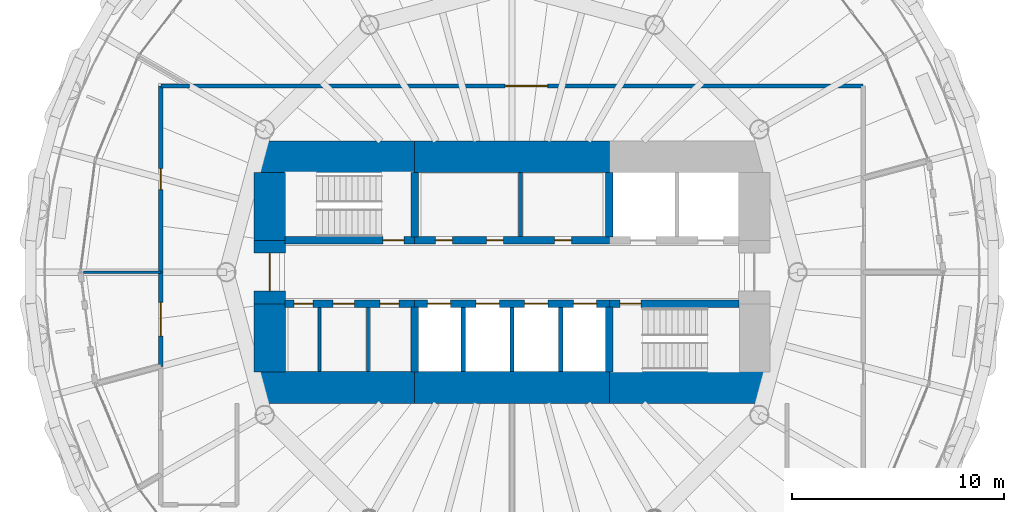
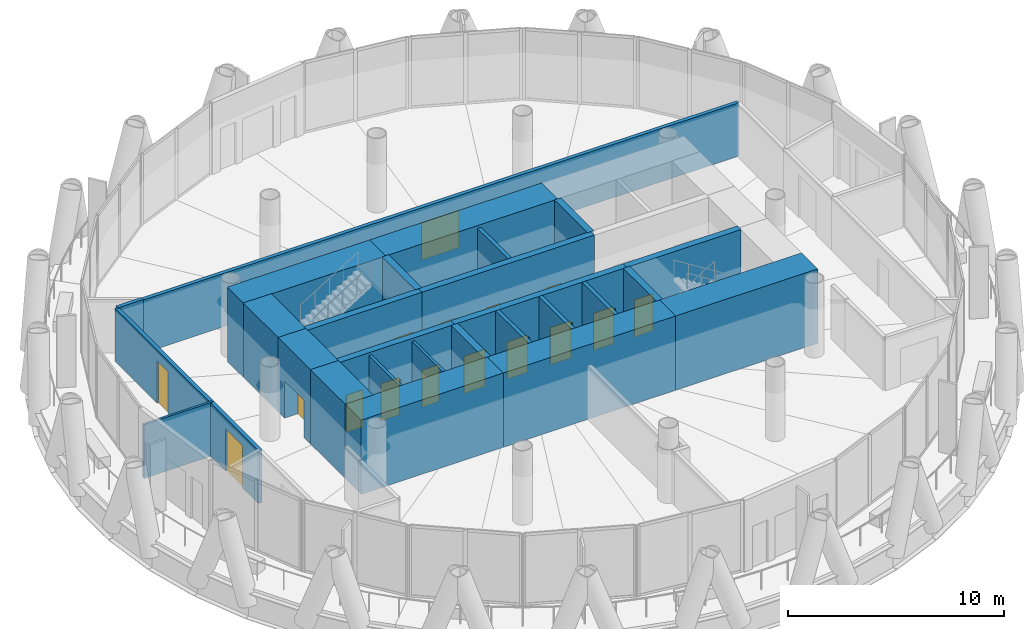
# One storey, part 10 of 14: 28 walls, 16 doors, 16 openings.
"""IFC4 building model written with IfcOpenShell, lengths in metres."""

from ifc_helpers import new_model, si_unit, direction, frame, frame_2d, origin, place, context, subcontext, project, spatial, rectangle, extrude, material, layer, layer_set, type_object, element, fill, save


model = new_model("IFC4")

# Units and contexts
model_context = context("Model", 3, precision=1e-05, world=origin(), true_north=direction((0.0, 1.0)))
body_context = subcontext(model_context, "Body", "Model", "MODEL_VIEW")
ifc_project = project(units=[si_unit("LENGTHUNIT", "METRE"), si_unit("AREAUNIT", "SQUARE_METRE"), si_unit("VOLUMEUNIT", "CUBIC_METRE"), si_unit("PLANEANGLEUNIT", "RADIAN"), si_unit("MASSUNIT", "GRAM", prefix="KILO")], contexts=[model_context])

# Site, building, storey
site_placement = place(None, origin())
site = spatial("IfcSite", under=ifc_project, at=site_placement, CompositionType="ELEMENT")
building_placement = place(site_placement, origin())
building = spatial("IfcBuilding", under=site, at=building_placement, Name="Qaws Media Tower", CompositionType="ELEMENT")
storey_placement = place(building_placement, frame((0.0, 0.0, 215.0)))
storey = spatial("IfcBuildingStorey", under=building, at=storey_placement, Name="L49", CompositionType="ELEMENT", Elevation=215.0)

# Wall, opening, door
ifc_material_1 = material(Name="Concrete C60/75", Category="concrete")
ifc_layer_1 = layer(ifc_material_1, 0.35009765625)
ifc_layer_set_1 = layer_set([ifc_layer_1], Name="Core inner wall 350")
wall_type_1 = type_object("IfcWallType", Name="Core inner wall 350", PredefinedType="SHEAR", material=ifc_layer_set_1)
wall_1_placement = place(storey_placement, frame((49.280029296875, 51.5, 0.0), z_axis=(0.0, 0.0, 1.0), x_axis=(1.0, 0.0, 0.0)))
wall_1 = element("IfcWall", 1, at=wall_1_placement, inside=storey, type_object=wall_type_1, Name="W301 SW5 core wall SPNW L49", PredefinedType="SHEAR", context=body_context, shape_type="SweptSolid", body=[
    extrude(rectangle(XDim=6.119873046875, YDim=0.35009765625, at=frame_2d((3.06005859375, 0.0))), origin(), (0.0, 0.0, 1.0), 4.199951171875),
])
opening_1_placement = place(wall_1_placement, frame((4.6201171875, 0.0, 0.0)))
opening_1 = element("IfcOpeningElement", 2, at=opening_1_placement, cuts=wall_1, Name="Opening D1", PredefinedType="OPENING", context=body_context, shape_type="SweptSolid", body=[
    extrude(rectangle(XDim=1.0, YDim=2.10009765625, at=frame_2d((0.5, 1.050048828125))), frame((0.0, 0.18505859375, 0.0), z_axis=(0.0, -1.0, 0.0), x_axis=(1.0, 0.0, 0.0)), (0.0, 0.0, 1.0), 0.3701171875),
])
ifc_material_2 = material(Name="Steel, fire rated", Category="steel")
door_type_1 = type_object("IfcDoorType", Name="Stair door 1000 FD120", OperationType="SINGLE_SWING_LEFT", PredefinedType="DOOR", material=ifc_material_2)
door_1_placement = place(opening_1_placement, origin())
door_1 = element("IfcDoor", 3, at=door_1_placement, inside=storey, type_object=door_type_1, Name="D1 stair S1 door L49 in wall W301", OperationType="SINGLE_SWING_LEFT", OverallHeight=2.10009765625, OverallWidth=1.0, PredefinedType="DOOR", context=body_context, shape_type="SweptSolid", body=[
    extrude(rectangle(XDim=1.0, YDim=2.10009765625, at=frame_2d((0.5, 1.050048828125))), frame((0.0, 0.02490234375, 0.0), z_axis=(0.0, -1.0, 0.0), x_axis=(1.0, 0.0, 0.0)), (0.0, 0.0, 1.0), 0.050048828125),
])
fill(opening_1, door_1)

# Wall, openings, doors
wall_2_placement = place(storey_placement, frame((55.39990234375, 51.5, 0.0), z_axis=(0.0, 0.0, 1.0), x_axis=(1.0, 0.0, 0.0)))
wall_2 = element("IfcWall", 4, at=wall_2_placement, inside=storey, type_object=wall_type_1, Name="W304 SW5 core wall SPN L49", PredefinedType="SHEAR", context=body_context, shape_type="SweptSolid", body=[
    extrude(rectangle(XDim=9.2001953125, YDim=0.35009765625, at=frame_2d((4.60009765625, 0.0))), origin(), (0.0, 0.0, 1.0), 4.199951171875),
])
opening_2_placement = place(wall_2_placement, frame((0.981689453125, 0.0, 0.0)))
opening_2 = element("IfcOpeningElement", 5, at=opening_2_placement, cuts=wall_2, Name="Opening D23", PredefinedType="OPENING", context=body_context, shape_type="SweptSolid", body=[
    extrude(rectangle(XDim=0.800048828125, YDim=2.10009765625, at=frame_2d((0.39990234375, 1.050048828125))), frame((0.0, 0.18505859375, 0.0), z_axis=(0.0, -1.0, 0.0), x_axis=(1.0, 0.0, 0.0)), (0.0, 0.0, 1.0), 0.3701171875),
])
opening_3_placement = place(wall_2_placement, frame((3.3955078125, 0.0, 0.0)))
opening_3 = element("IfcOpeningElement", 6, at=opening_3_placement, cuts=wall_2, Name="Opening D23", PredefinedType="OPENING", context=body_context, shape_type="SweptSolid", body=[
    extrude(rectangle(XDim=0.800048828125, YDim=2.10009765625, at=frame_2d((0.39990234375, 1.050048828125))), frame((0.0, 0.18505859375, 0.0), z_axis=(0.0, -1.0, 0.0), x_axis=(1.0, 0.0, 0.0)), (0.0, 0.0, 1.0), 0.3701171875),
])
opening_4_placement = place(wall_2_placement, frame((6.613525390625, 0.0, 0.0)))
opening_4 = element("IfcOpeningElement", 7, at=opening_4_placement, cuts=wall_2, Name="Opening D23", PredefinedType="OPENING", context=body_context, shape_type="SweptSolid", body=[
    extrude(rectangle(XDim=0.800048828125, YDim=2.10009765625, at=frame_2d((0.39990234375, 1.050048828125))), frame((0.0, 0.18505859375, 0.0), z_axis=(0.0, -1.0, 0.0), x_axis=(1.0, 0.0, 0.0)), (0.0, 0.0, 1.0), 0.3701171875),
])
ifc_material_3 = material(Name="Steel, fire rated", Category="steel")
door_type_2 = type_object("IfcDoorType", Name="Core room door 800x2100", OperationType="SINGLE_SWING_LEFT", PredefinedType="DOOR", material=ifc_material_3)
door_2_placement = place(opening_2_placement, origin())
door_2 = element("IfcDoor", 8, at=door_2_placement, inside=storey, type_object=door_type_2, Name="D23 Ladies toilets door L49 1 in wall W304", OperationType="SINGLE_SWING_LEFT", OverallHeight=2.10009765625, OverallWidth=0.800048828125, PredefinedType="DOOR", context=body_context, shape_type="SweptSolid", body=[
    extrude(rectangle(XDim=0.800048828125, YDim=2.10009765625, at=frame_2d((0.39990234375, 1.050048828125))), frame((0.0, 0.02490234375, 0.0), z_axis=(0.0, -1.0, 0.0), x_axis=(1.0, 0.0, 0.0)), (0.0, 0.0, 1.0), 0.050048828125),
])
fill(opening_2, door_2)
door_3_placement = place(opening_3_placement, origin())
door_3 = element("IfcDoor", 9, at=door_3_placement, inside=storey, type_object=door_type_2, Name="D23 Ladies toilets door L49 2 in wall W304", OperationType="SINGLE_SWING_LEFT", OverallHeight=2.10009765625, OverallWidth=0.800048828125, PredefinedType="DOOR", context=body_context, shape_type="SweptSolid", body=[
    extrude(rectangle(XDim=0.800048828125, YDim=2.10009765625, at=frame_2d((0.39990234375, 1.050048828125))), frame((0.0, 0.02490234375, 0.0), z_axis=(0.0, -1.0, 0.0), x_axis=(1.0, 0.0, 0.0)), (0.0, 0.0, 1.0), 0.050048828125),
])
fill(opening_3, door_3)
door_4_placement = place(opening_4_placement, origin())
door_4 = element("IfcDoor", 10, at=door_4_placement, inside=storey, type_object=door_type_2, Name="D23 Gents toilets door L49 in wall W304", OperationType="SINGLE_SWING_LEFT", OverallHeight=2.10009765625, OverallWidth=0.800048828125, PredefinedType="DOOR", context=body_context, shape_type="SweptSolid", body=[
    extrude(rectangle(XDim=0.800048828125, YDim=2.10009765625, at=frame_2d((0.39990234375, 1.050048828125))), frame((0.0, 0.02490234375, 0.0), z_axis=(0.0, -1.0, 0.0), x_axis=(1.0, 0.0, 0.0)), (0.0, 0.0, 1.0), 0.050048828125),
])
fill(opening_4, door_4)

wall_3_placement = place(storey_placement, frame((49.280029296875, 48.5, 0.0), z_axis=(0.0, 0.0, 1.0), x_axis=(1.0, 0.0, 0.0)))
wall_3 = element("IfcWall", 11, at=wall_3_placement, inside=storey, type_object=wall_type_1, Name="W300 SW5 core wall SPSW L49", PredefinedType="SHEAR", context=body_context, shape_type="SweptSolid", body=[
    extrude(rectangle(XDim=6.119873046875, YDim=0.35009765625, at=frame_2d((3.06005859375, 0.0))), origin(), (0.0, 0.0, 1.0), 4.199951171875),
])
opening_5_placement = place(wall_3_placement, frame((0.419921875, 0.0, 0.0)))
opening_5 = element("IfcOpeningElement", 12, at=opening_5_placement, cuts=wall_3, Name="Opening D25", PredefinedType="OPENING", context=body_context, shape_type="SweptSolid", body=[
    extrude(rectangle(XDim=0.89990234375, YDim=2.10009765625, at=frame_2d((0.449951171875, 1.050048828125))), frame((0.0, 0.18505859375, 0.0), z_axis=(0.0, -1.0, 0.0), x_axis=(1.0, 0.0, 0.0)), (0.0, 0.0, 1.0), 0.3701171875),
])
opening_6_placement = place(wall_3_placement, frame((2.27001953125, 0.0, 0.0)))
opening_6 = element("IfcOpeningElement", 13, at=opening_6_placement, cuts=wall_3, Name="Opening D4", PredefinedType="OPENING", context=body_context, shape_type="SweptSolid", body=[
    extrude(rectangle(XDim=1.0, YDim=2.10009765625, at=frame_2d((0.5, 1.050048828125))), frame((0.0, 0.18505859375, 0.0), z_axis=(0.0, -1.0, 0.0), x_axis=(1.0, 0.0, 0.0)), (0.0, 0.0, 1.0), 0.3701171875),
])
opening_7_placement = place(wall_3_placement, frame((4.469970703125, 0.0, 0.0)))
opening_7 = element("IfcOpeningElement", 14, at=opening_7_placement, cuts=wall_3, Name="Opening D25", PredefinedType="OPENING", context=body_context, shape_type="SweptSolid", body=[
    extrude(rectangle(XDim=0.89990234375, YDim=2.10009765625, at=frame_2d((0.449951171875, 1.050048828125))), frame((0.0, 0.18505859375, 0.0), z_axis=(0.0, -1.0, 0.0), x_axis=(1.0, 0.0, 0.0)), (0.0, 0.0, 1.0), 0.3701171875),
])
ifc_material_4 = material(Name="Timber veneered", Category="wood")
door_type_3 = type_object("IfcDoorType", Name="Accessible WC door 1000", OperationType="SLIDING_TO_LEFT", PredefinedType="DOOR", material=ifc_material_4)
door_5_placement = place(opening_6_placement, origin())
door_5 = element("IfcDoor", 15, at=door_5_placement, inside=storey, type_object=door_type_3, Name="D4 toilet door 2 L49 in wall W300", OperationType="SLIDING_TO_LEFT", OverallHeight=2.10009765625, OverallWidth=1.0, PredefinedType="DOOR", context=body_context, shape_type="SweptSolid", body=[
    extrude(rectangle(XDim=1.0, YDim=2.10009765625, at=frame_2d((0.5, 1.050048828125))), frame((0.0, 0.02490234375, 0.0), z_axis=(0.0, -1.0, 0.0), x_axis=(1.0, 0.0, 0.0)), (0.0, 0.0, 1.0), 0.050048828125),
])
fill(opening_6, door_5)
ifc_material_5 = material(Name="Steel, fire rated", Category="steel")
door_type_4 = type_object("IfcDoorType", Name="Core service door 900", OperationType="SINGLE_SWING_RIGHT", PredefinedType="DOOR", material=ifc_material_5)
door_6_placement = place(opening_5_placement, origin())
door_6 = element("IfcDoor", 16, at=door_6_placement, inside=storey, type_object=door_type_4, Name="D25 toilet door 1 L49 in wall W300", OperationType="SINGLE_SWING_RIGHT", OverallHeight=2.10009765625, OverallWidth=0.89990234375, PredefinedType="DOOR", context=body_context, shape_type="SweptSolid", body=[
    extrude(rectangle(XDim=0.89990234375, YDim=2.10009765625, at=frame_2d((0.449951171875, 1.050048828125))), frame((0.0, 0.02490234375, 0.0), z_axis=(0.0, -1.0, 0.0), x_axis=(1.0, 0.0, 0.0)), (0.0, 0.0, 1.0), 0.050048828125),
])
fill(opening_5, door_6)
door_7_placement = place(opening_7_placement, origin())
door_7 = element("IfcDoor", 17, at=door_7_placement, inside=storey, type_object=door_type_4, Name="D25 toilet door 3 L49 in wall W300", OperationType="SINGLE_SWING_RIGHT", OverallHeight=2.10009765625, OverallWidth=0.89990234375, PredefinedType="DOOR", context=body_context, shape_type="SweptSolid", body=[
    extrude(rectangle(XDim=0.89990234375, YDim=2.10009765625, at=frame_2d((0.449951171875, 1.050048828125))), frame((0.0, 0.02490234375, 0.0), z_axis=(0.0, -1.0, 0.0), x_axis=(1.0, 0.0, 0.0)), (0.0, 0.0, 1.0), 0.050048828125),
])
fill(opening_7, door_7)

wall_4_placement = place(storey_placement, frame((55.39990234375, 48.5, 0.0), z_axis=(0.0, 0.0, 1.0), x_axis=(1.0, 0.0, 0.0)))
wall_4 = element("IfcWall", 18, at=wall_4_placement, inside=storey, type_object=wall_type_1, Name="W303 SW5 core wall SPS L49", PredefinedType="SHEAR", context=body_context, shape_type="SweptSolid", body=[
    extrude(rectangle(XDim=9.2001953125, YDim=0.35009765625, at=frame_2d((4.60009765625, 0.0))), origin(), (0.0, 0.0, 1.0), 4.199951171875),
])
opening_8_placement = place(wall_4_placement, frame((0.60009765625, 0.0, 0.0)))
opening_8 = element("IfcOpeningElement", 19, at=opening_8_placement, cuts=wall_4, Name="Opening LD", PredefinedType="OPENING", context=body_context, shape_type="SweptSolid", body=[
    extrude(rectangle(XDim=1.10009765625, YDim=2.10009765625, at=frame_2d((0.550048828125, 1.050048828125))), frame((0.0, 0.18505859375, 0.0), z_axis=(0.0, -1.0, 0.0), x_axis=(1.0, 0.0, 0.0)), (0.0, 0.0, 1.0), 0.3701171875),
])
opening_9_placement = place(wall_4_placement, frame((2.89990234375, 0.0, 0.0)))
opening_9 = element("IfcOpeningElement", 20, at=opening_9_placement, cuts=wall_4, Name="Opening LD", PredefinedType="OPENING", context=body_context, shape_type="SweptSolid", body=[
    extrude(rectangle(XDim=1.10009765625, YDim=2.10009765625, at=frame_2d((0.550048828125, 1.050048828125))), frame((0.0, 0.18505859375, 0.0), z_axis=(0.0, -1.0, 0.0), x_axis=(1.0, 0.0, 0.0)), (0.0, 0.0, 1.0), 0.3701171875),
])
opening_10_placement = place(wall_4_placement, frame((5.199951171875, 0.0, 0.0)))
opening_10 = element("IfcOpeningElement", 21, at=opening_10_placement, cuts=wall_4, Name="Opening LD", PredefinedType="OPENING", context=body_context, shape_type="SweptSolid", body=[
    extrude(rectangle(XDim=1.10009765625, YDim=2.10009765625, at=frame_2d((0.550048828125, 1.050048828125))), frame((0.0, 0.18505859375, 0.0), z_axis=(0.0, -1.0, 0.0), x_axis=(1.0, 0.0, 0.0)), (0.0, 0.0, 1.0), 0.3701171875),
])
opening_11_placement = place(wall_4_placement, frame((7.5, 0.0, 0.0)))
opening_11 = element("IfcOpeningElement", 22, at=opening_11_placement, cuts=wall_4, Name="Opening LD", PredefinedType="OPENING", context=body_context, shape_type="SweptSolid", body=[
    extrude(rectangle(XDim=1.10009765625, YDim=2.10009765625, at=frame_2d((0.550048828125, 1.050048828125))), frame((0.0, 0.18505859375, 0.0), z_axis=(0.0, -1.0, 0.0), x_axis=(1.0, 0.0, 0.0)), (0.0, 0.0, 1.0), 0.3701171875),
])
ifc_material_6 = material(Name="Steel, fire rated", Category="steel")
door_type_5 = type_object("IfcDoorType", Name="Lift landing door 1100", OperationType="SLIDING_TO_LEFT", PredefinedType="DOOR", material=ifc_material_6)
door_8_placement = place(opening_8_placement, origin())
door_8 = element("IfcDoor", 23, at=door_8_placement, inside=storey, type_object=door_type_5, Name="P5 landing door L49 in wall W303", OperationType="SLIDING_TO_LEFT", OverallHeight=2.10009765625, OverallWidth=1.10009765625, PredefinedType="DOOR", context=body_context, shape_type="SweptSolid", body=[
    extrude(rectangle(XDim=1.10009765625, YDim=2.10009765625, at=frame_2d((0.550048828125, 1.050048828125))), frame((0.0, 0.02490234375, 0.0), z_axis=(0.0, -1.0, 0.0), x_axis=(1.0, 0.0, 0.0)), (0.0, 0.0, 1.0), 0.050048828125),
])
fill(opening_8, door_8)
door_9_placement = place(opening_9_placement, origin())
door_9 = element("IfcDoor", 24, at=door_9_placement, inside=storey, type_object=door_type_5, Name="P6 landing door L49 in wall W303", OperationType="SLIDING_TO_LEFT", OverallHeight=2.10009765625, OverallWidth=1.10009765625, PredefinedType="DOOR", context=body_context, shape_type="SweptSolid", body=[
    extrude(rectangle(XDim=1.10009765625, YDim=2.10009765625, at=frame_2d((0.550048828125, 1.050048828125))), frame((0.0, 0.02490234375, 0.0), z_axis=(0.0, -1.0, 0.0), x_axis=(1.0, 0.0, 0.0)), (0.0, 0.0, 1.0), 0.050048828125),
])
fill(opening_9, door_9)
door_10_placement = place(opening_10_placement, origin())
door_10 = element("IfcDoor", 25, at=door_10_placement, inside=storey, type_object=door_type_5, Name="P7 landing door L49 in wall W303", OperationType="SLIDING_TO_LEFT", OverallHeight=2.10009765625, OverallWidth=1.10009765625, PredefinedType="DOOR", context=body_context, shape_type="SweptSolid", body=[
    extrude(rectangle(XDim=1.10009765625, YDim=2.10009765625, at=frame_2d((0.550048828125, 1.050048828125))), frame((0.0, 0.02490234375, 0.0), z_axis=(0.0, -1.0, 0.0), x_axis=(1.0, 0.0, 0.0)), (0.0, 0.0, 1.0), 0.050048828125),
])
fill(opening_10, door_10)
door_11_placement = place(opening_11_placement, origin())
door_11 = element("IfcDoor", 26, at=door_11_placement, inside=storey, type_object=door_type_5, Name="P8 landing door L49 in wall W303", OperationType="SLIDING_TO_LEFT", OverallHeight=2.10009765625, OverallWidth=1.10009765625, PredefinedType="DOOR", context=body_context, shape_type="SweptSolid", body=[
    extrude(rectangle(XDim=1.10009765625, YDim=2.10009765625, at=frame_2d((0.550048828125, 1.050048828125))), frame((0.0, 0.02490234375, 0.0), z_axis=(0.0, -1.0, 0.0), x_axis=(1.0, 0.0, 0.0)), (0.0, 0.0, 1.0), 0.050048828125),
])
fill(opening_11, door_11)

# Wall, opening, door
wall_5_placement = place(storey_placement, frame((64.60009765625, 48.5, 0.0), z_axis=(0.0, 0.0, 1.0), x_axis=(1.0, 0.0, 0.0)))
wall_5 = element("IfcWall", 27, at=wall_5_placement, inside=storey, type_object=wall_type_1, Name="W307 SW5 core wall SPSE L49", PredefinedType="SHEAR", context=body_context, shape_type="SweptSolid", body=[
    extrude(rectangle(XDim=6.119873046875, YDim=0.35009765625, at=frame_2d((3.06005859375, 0.0))), origin(), (0.0, 0.0, 1.0), 4.199951171875),
])
opening_12_placement = place(wall_5_placement, frame((0.5, 0.0, 0.0)))
opening_12 = element("IfcOpeningElement", 28, at=opening_12_placement, cuts=wall_5, Name="Opening D1", PredefinedType="OPENING", context=body_context, shape_type="SweptSolid", body=[
    extrude(rectangle(XDim=1.0, YDim=2.10009765625, at=frame_2d((0.5, 1.050048828125))), frame((0.0, 0.18505859375, 0.0), z_axis=(0.0, -1.0, 0.0), x_axis=(1.0, 0.0, 0.0)), (0.0, 0.0, 1.0), 0.3701171875),
])
door_12_placement = place(opening_12_placement, origin())
door_12 = element("IfcDoor", 29, at=door_12_placement, inside=storey, type_object=door_type_1, Name="D1 stair S2 door L49 in wall W307", OperationType="SINGLE_SWING_LEFT", OverallHeight=2.10009765625, OverallWidth=1.0, PredefinedType="DOOR", context=body_context, shape_type="SweptSolid", body=[
    extrude(rectangle(XDim=1.0, YDim=2.10009765625, at=frame_2d((0.5, 1.050048828125))), frame((0.0, 0.02490234375, 0.0), z_axis=(0.0, -1.0, 0.0), x_axis=(1.0, 0.0, 0.0)), (0.0, 0.0, 1.0), 0.050048828125),
])
fill(opening_12, door_12)

# Walls
for number, where, z_axis, x_axis, name in (
    (30, (55.39990234375, 51.655029296875, 0.0), (0.0, 0.0, 1.0), (0.0, 1.0, 0.0), "W305 SW5 core wall XNW L49"),
    (31, (64.60009765625, 51.655029296875, 0.0), (0.0, 0.0, 1.0), (0.0, 1.0, 0.0), "W309 SW5 core wall XNE L49"),
    (32, (55.39990234375, 48.344970703125, 0.0), (0.0, 0.0, 1.0), (0.0, -1.0, 0.0), "W302 SW5 core wall XSW L49"),
    (33, (64.60009765625, 48.344970703125, 0.0), (0.0, 0.0, 1.0), (0.0, -1.0, 0.0), "W306 SW5 core wall XSE L49"),
):
    element("IfcWall", number, at=place(storey_placement, frame(where, z_axis=z_axis, x_axis=x_axis)), inside=storey, type_object=wall_type_1, Name=name, PredefinedType="SHEAR", context=body_context, shape_type="SweptSolid", body=[
        extrude(rectangle(XDim=3.06494140625, YDim=0.35009765625, at=frame_2d((1.532470703125, 0.0))), origin(), (0.0, 0.0, 1.0), 4.199951171875),
    ])
ifc_material_7 = material(Name="Concrete C60/75", Category="concrete")
ifc_layer_2 = layer(ifc_material_7, 1.5)
ifc_layer_set_2 = layer_set([ifc_layer_2], Name="Core wall 1500")
wall_type_2 = type_object("IfcWallType", Name="Core wall 1500", PredefinedType="SHEAR", material=ifc_layer_set_2)
wall_6_placement = place(storey_placement, frame((47.800048828125, 55.449951171875, 0.0), z_axis=(0.0, 0.0, 1.0), x_axis=(1.0, 0.0, 0.0)))
element("IfcWall", 34, at=wall_6_placement, inside=storey, type_object=wall_type_2, Name="W377 SW13 core wall NW L49", PredefinedType="SHEAR", context=body_context, shape_type="SweptSolid", body=[
    extrude(rectangle(XDim=7.599853515625, YDim=1.5, at=frame_2d((3.7998046875, 0.0))), origin(), (0.0, 0.0, 1.0), 4.199951171875),
])
wall_7_placement = place(storey_placement, frame((55.39990234375, 55.449951171875, 0.0), z_axis=(0.0, 0.0, 1.0), x_axis=(1.0, 0.0, 0.0)))
element("IfcWall", 35, at=wall_7_placement, inside=storey, type_object=wall_type_2, Name="W373 SW13 core wall N L49", PredefinedType="SHEAR", context=body_context, shape_type="SweptSolid", body=[
    extrude(rectangle(XDim=9.2001953125, YDim=1.5, at=frame_2d((4.60009765625, 0.0))), origin(), (0.0, 0.0, 1.0), 4.199951171875),
])
wall_8_placement = place(storey_placement, frame((47.800048828125, 44.550048828125, 0.0), z_axis=(0.0, 0.0, 1.0), x_axis=(1.0, 0.0, 0.0)))
element("IfcWall", 36, at=wall_8_placement, inside=storey, type_object=wall_type_2, Name="W376 SW13 core wall SW L49", PredefinedType="SHEAR", context=body_context, shape_type="SweptSolid", body=[
    extrude(rectangle(XDim=7.599853515625, YDim=1.5, at=frame_2d((3.7998046875, 0.0))), origin(), (0.0, 0.0, 1.0), 4.199951171875),
])
wall_9_placement = place(storey_placement, frame((55.39990234375, 44.550048828125, 0.0), z_axis=(0.0, 0.0, 1.0), x_axis=(1.0, 0.0, 0.0)))
element("IfcWall", 37, at=wall_9_placement, inside=storey, type_object=wall_type_2, Name="W372 SW13 core wall S L49", PredefinedType="SHEAR", context=body_context, shape_type="SweptSolid", body=[
    extrude(rectangle(XDim=9.2001953125, YDim=1.5, at=frame_2d((4.60009765625, 0.0))), origin(), (0.0, 0.0, 1.0), 4.199951171875),
])
wall_10_placement = place(storey_placement, frame((64.60009765625, 44.550048828125, 0.0), z_axis=(0.0, 0.0, 1.0), x_axis=(1.0, 0.0, 0.0)))
element("IfcWall", 38, at=wall_10_placement, inside=storey, type_object=wall_type_2, Name="W381 SW13 core wall SE L49", PredefinedType="SHEAR", context=body_context, shape_type="SweptSolid", body=[
    extrude(rectangle(XDim=7.599853515625, YDim=1.5, at=frame_2d((3.7998046875, 0.0))), origin(), (0.0, 0.0, 1.0), 4.199951171875),
])
wall_11_placement = place(storey_placement, frame((48.550048828125, 45.280029296875, 0.0), z_axis=(0.0, 0.0, 1.0), x_axis=(0.0, 1.0, 0.0)))
element("IfcWall", 39, at=wall_11_placement, inside=storey, type_object=wall_type_2, Name="W378 SW13 core wall WS L49", PredefinedType="SHEAR", context=body_context, shape_type="SweptSolid", body=[
    extrude(rectangle(XDim=3.219970703125, YDim=1.5, at=frame_2d((1.60986328125, 0.0))), origin(), (0.0, 0.0, 1.0), 4.199951171875),
])

# Wall, opening, door
wall_12_placement = place(storey_placement, frame((48.550048828125, 48.5, 0.0), z_axis=(0.0, 0.0, 1.0), x_axis=(0.0, 1.0, 0.0)))
wall_12 = element("IfcWall", 40, at=wall_12_placement, inside=storey, type_object=wall_type_2, Name="W379 SW13 core wall W L49", PredefinedType="SHEAR", context=body_context, shape_type="SweptSolid", body=[
    extrude(rectangle(XDim=3.0, YDim=1.5, at=frame_2d((1.5, 0.0))), origin(), (0.0, 0.0, 1.0), 4.199951171875),
])
opening_13_placement = place(wall_12_placement, frame((0.60009765625, 0.0, 0.0)))
opening_13 = element("IfcOpeningElement", 41, at=opening_13_placement, cuts=wall_12, Name="Opening D2", PredefinedType="OPENING", context=body_context, shape_type="SweptSolid", body=[
    extrude(rectangle(XDim=1.800048828125, YDim=2.10009765625, at=frame_2d((0.89990234375, 1.050048828125))), frame((0.0, 0.760009765625, 0.0), z_axis=(0.0, -1.0, 0.0), x_axis=(1.0, 0.0, 0.0)), (0.0, 0.0, 1.0), 1.52001953125),
])
ifc_material_8 = material(Name="Steel and glass, fire rated", Category="steel")
door_type_6 = type_object("IfcDoorType", Name="Lobby door pair 1800 FD60", OperationType="DOUBLE_DOOR_DOUBLE_SWING", PredefinedType="DOOR", material=ifc_material_8)
door_13_placement = place(opening_13_placement, origin())
door_13 = element("IfcDoor", 42, at=door_13_placement, inside=storey, type_object=door_type_6, Name="D2 core lobby door W L49 in wall W379", OperationType="DOUBLE_DOOR_DOUBLE_SWING", OverallHeight=2.10009765625, OverallWidth=1.800048828125, PredefinedType="DOOR", context=body_context, shape_type="SweptSolid", body=[
    extrude(rectangle(XDim=1.800048828125, YDim=2.10009765625, at=frame_2d((0.89990234375, 1.050048828125))), frame((0.0, 0.02490234375, 0.0), z_axis=(0.0, -1.0, 0.0), x_axis=(1.0, 0.0, 0.0)), (0.0, 0.0, 1.0), 0.050048828125),
])
fill(opening_13, door_13)

# Walls
wall_13_placement = place(storey_placement, frame((48.550048828125, 51.5, 0.0), z_axis=(0.0, 0.0, 1.0), x_axis=(0.0, 1.0, 0.0)))
element("IfcWall", 43, at=wall_13_placement, inside=storey, type_object=wall_type_2, Name="W380 SW13 core wall WN L49", PredefinedType="SHEAR", context=body_context, shape_type="SweptSolid", body=[
    extrude(rectangle(XDim=3.219970703125, YDim=1.5, at=frame_2d((1.60986328125, 0.0))), origin(), (0.0, 0.0, 1.0), 4.199951171875),
])
ifc_material_9 = material(Name="Two layers gypsum board each side on 75 studs, insulated", Category="gypsum")
ifc_layer_3 = layer(ifc_material_9, 0.125)
ifc_layer_set_3 = layer_set([ifc_layer_3], Name="Meeting room partition 125 Rw 48")
wall_type_3 = type_object("IfcWallType", Name="Meeting room partition 125 Rw 48", PredefinedType="PARTITIONING", material=ifc_layer_set_3)
wall_14_placement = place(storey_placement, frame((43.39990234375, 50.0, 0.0), z_axis=(0.0, 0.0, 1.0), x_axis=(-1.0, 0.0, 0.0)))
element("IfcWall", 44, at=wall_14_placement, inside=storey, type_object=wall_type_3, Name="W601 IW5 partition L49", PredefinedType="PARTITIONING", context=body_context, shape_type="SweptSolid", body=[
    extrude(rectangle(XDim=3.659912109375, YDim=0.125, at=frame_2d((1.830078125, 0.0))), origin(), (0.0, 0.0, 1.0), 3.0400390625),
])
ifc_material_10 = material(Name="Gypsum board on galvanised metal studs, acoustic double stud, deflection head", Category="gypsum")
ifc_layer_4 = layer(ifc_material_10, 0.199951171875)
ifc_layer_set_4 = layer_set([ifc_layer_4], Name="Room partition 200")
wall_type_4 = type_object("IfcWallType", Name="Room partition 200", PredefinedType="PARTITIONING", material=ifc_layer_set_4)
wall_15_placement = place(storey_placement, frame((43.39990234375, 58.800048828125, 0.0), z_axis=(0.0, 0.0, 1.0), x_axis=(1.0, 0.0, 0.0)))
element("IfcWall", 45, at=wall_15_placement, inside=storey, type_object=wall_type_4, Name="W1566 IW3 partition L49", PredefinedType="PARTITIONING", context=body_context, shape_type="SweptSolid", body=[
    extrude(rectangle(XDim=1.358154296875, YDim=0.199951171875, at=frame_2d((0.67919921875, 0.0))), origin(), (0.0, 0.0, 1.0), 3.0400390625),
])

# Wall, opening, door
wall_16_placement = place(storey_placement, frame((44.758056640625, 58.800048828125, 0.0), z_axis=(0.0, 0.0, 1.0), x_axis=(1.0, 0.0, 0.0)))
wall_16 = element("IfcWall", 46, at=wall_16_placement, inside=storey, type_object=wall_type_4, Name="W1569 IW3 partition L49", PredefinedType="PARTITIONING", context=body_context, shape_type="SweptSolid", body=[
    extrude(rectangle(XDim=31.842041015625, YDim=0.199951171875, at=frame_2d((15.9208984375, 0.0))), origin(), (0.0, 0.0, 1.0), 3.011962890625),
])
opening_14_placement = place(wall_16_placement, frame((14.9208984375, 0.0, 0.0)))
opening_14 = element("IfcOpeningElement", 47, at=opening_14_placement, cuts=wall_16, Name="Opening D6", PredefinedType="OPENING", context=body_context, shape_type="SweptSolid", body=[
    extrude(rectangle(XDim=2.0, YDim=2.10009765625, at=frame_2d((1.0, 1.050048828125))), frame((0.0, 0.10986328125, 0.0), z_axis=(0.0, -1.0, 0.0), x_axis=(1.0, 0.0, 0.0)), (0.0, 0.0, 1.0), 0.219970703125),
])
ifc_material_11 = material(Name="Steel, acoustic, fire rated", Category="steel")
door_type_7 = type_object("IfcDoorType", Name="Room door pair 2000", OperationType="DOUBLE_DOOR_DOUBLE_SWING", PredefinedType="DOOR", material=ifc_material_11)
door_14_placement = place(opening_14_placement, origin())
door_14 = element("IfcDoor", 48, at=door_14_placement, inside=storey, type_object=door_type_7, Name="D6 Tenant office door L49 in wall W1569", OperationType="DOUBLE_DOOR_DOUBLE_SWING", OverallHeight=2.10009765625, OverallWidth=2.0, PredefinedType="DOOR", context=body_context, shape_type="SweptSolid", body=[
    extrude(rectangle(XDim=2.0, YDim=2.10009765625, at=frame_2d((1.0, 1.050048828125))), frame((0.0, 0.02490234375, 0.0), z_axis=(0.0, -1.0, 0.0), x_axis=(1.0, 0.0, 0.0)), (0.0, 0.0, 1.0), 0.050048828125),
])
fill(opening_14, door_14)

wall_17_placement = place(storey_placement, frame((43.39990234375, 45.552001953125, 0.0), z_axis=(0.0, 0.0, 1.0), x_axis=(0.0, 1.0, 0.0)))
wall_17 = element("IfcWall", 49, at=wall_17_placement, inside=storey, type_object=wall_type_4, Name="W1388 IW3 partition L49", PredefinedType="PARTITIONING", context=body_context, shape_type="SweptSolid", body=[
    extrude(rectangle(XDim=4.447998046875, YDim=0.199951171875, at=frame_2d((2.22412109375, 0.0))), origin(), (0.0, 0.0, 1.0), 3.011962890625),
])
opening_15_placement = place(wall_17_placement, frame((1.424072265625, 0.0, 0.0)))
opening_15 = element("IfcOpeningElement", 50, at=opening_15_placement, cuts=wall_17, Name="Opening D16", PredefinedType="OPENING", context=body_context, shape_type="SweptSolid", body=[
    extrude(rectangle(XDim=1.60009765625, YDim=2.39990234375, at=frame_2d((0.800048828125, 1.199951171875))), frame((0.0, 0.10986328125, 0.0), z_axis=(0.0, -1.0, 0.0), x_axis=(1.0, 0.0, 0.0)), (0.0, 0.0, 1.0), 0.219970703125),
])
ifc_material_12 = material(Name="Glazed aluminium, fire rated", Category="aluminium")
door_type_8 = type_object("IfcDoorType", Name="Tenant entrance door pair 1600x2400", OperationType="DOUBLE_DOOR_DOUBLE_SWING", PredefinedType="DOOR", material=ifc_material_12)
door_15_placement = place(opening_15_placement, origin())
door_15 = element("IfcDoor", 51, at=door_15_placement, inside=storey, type_object=door_type_8, Name="D16 Tenant reception door L49 in wall W1388", OperationType="DOUBLE_DOOR_DOUBLE_SWING", OverallHeight=2.39990234375, OverallWidth=1.60009765625, PredefinedType="DOOR", context=body_context, shape_type="SweptSolid", body=[
    extrude(rectangle(XDim=1.60009765625, YDim=2.39990234375, at=frame_2d((0.800048828125, 1.199951171875))), frame((0.0, 0.02490234375, 0.0), z_axis=(0.0, -1.0, 0.0), x_axis=(1.0, 0.0, 0.0)), (0.0, 0.0, 1.0), 0.050048828125),
])
fill(opening_15, door_15)

wall_18_placement = place(storey_placement, frame((43.39990234375, 50.0, 0.0), z_axis=(0.0, 0.0, 1.0), x_axis=(0.0, 1.0, 0.0)))
wall_18 = element("IfcWall", 52, at=wall_18_placement, inside=storey, type_object=wall_type_4, Name="W1565 IW3 partition L49", PredefinedType="PARTITIONING", context=body_context, shape_type="SweptSolid", body=[
    extrude(rectangle(XDim=8.800048828125, YDim=0.199951171875, at=frame_2d((4.39990234375, 0.0))), origin(), (0.0, 0.0, 1.0), 3.011962890625),
])
opening_16_placement = place(wall_18_placement, frame((3.89990234375, 0.0, 0.0)))
opening_16 = element("IfcOpeningElement", 53, at=opening_16_placement, cuts=wall_18, Name="Opening D13", PredefinedType="OPENING", context=body_context, shape_type="SweptSolid", body=[
    extrude(rectangle(XDim=1.0, YDim=2.39990234375, at=frame_2d((0.5, 1.199951171875))), frame((0.0, 0.10986328125, 0.0), z_axis=(0.0, -1.0, 0.0), x_axis=(1.0, 0.0, 0.0)), (0.0, 0.0, 1.0), 0.219970703125),
])
ifc_material_13 = material(Name="Frameless toughened glass, acoustic seals", Category="glass")
door_type_9 = type_object("IfcDoorType", Name="Glazed meeting room door 1000x2400", OperationType="SINGLE_SWING_LEFT", PredefinedType="DOOR", material=ifc_material_13)
door_16_placement = place(opening_16_placement, origin())
door_16 = element("IfcDoor", 54, at=door_16_placement, inside=storey, type_object=door_type_9, Name="D13 Meeting room door L49 in wall W1565", OperationType="SINGLE_SWING_LEFT", OverallHeight=2.39990234375, OverallWidth=1.0, PredefinedType="DOOR", context=body_context, shape_type="SweptSolid", body=[
    extrude(rectangle(XDim=1.0, YDim=2.39990234375, at=frame_2d((0.5, 1.199951171875))), frame((0.0, 0.02490234375, 0.0), z_axis=(0.0, -1.0, 0.0), x_axis=(1.0, 0.0, 0.0)), (0.0, 0.0, 1.0), 0.050048828125),
])
fill(opening_16, door_16)

# Walls
wall_19_placement = place(storey_placement, frame((60.40234375, 51.675048828125, 0.0), z_axis=(0.0, 0.0, 1.0), x_axis=(0.0, 1.0, 0.0)))
element("IfcWall", 55, at=wall_19_placement, inside=storey, type_object=wall_type_4, Name="W1574 IW3 core room partition 1 L49", PredefinedType="PARTITIONING", context=body_context, shape_type="SweptSolid", body=[
    extrude(rectangle(XDim=3.02490234375, YDim=0.199951171875, at=frame_2d((1.512451171875, 0.0))), origin(), (0.0, 0.0, 1.0), 4.0400390625),
])
ifc_material_14 = material(Name="Fire-rated gypsum board shaft wall on galvanised metal studs, deflection head", Category="gypsum")
ifc_layer_5 = layer(ifc_material_14, 0.199951171875)
ifc_layer_set_5 = layer_set([ifc_layer_5], Name="Shaft wall 200")
wall_type_5 = type_object("IfcWallType", Name="Shaft wall 200", PredefinedType="PARTITIONING", material=ifc_layer_set_5)
for number, where, z_axis, x_axis, name in (
    (56, (57.699951171875, 45.300048828125, 0.0), (0.0, 0.0, 1.0), (0.0, 1.0, 0.0), "W1871 IW1 shaft wall S1 L49"),
    (57, (60.0, 45.300048828125, 0.0), (0.0, 0.0, 1.0), (0.0, 1.0, 0.0), "W1872 IW1 shaft wall S2 L49"),
    (58, (62.300048828125, 45.300048828125, 0.0), (0.0, 0.0, 1.0), (0.0, 1.0, 0.0), "W1873 IW1 shaft wall S3 L49"),
):
    element("IfcWall", number, at=place(storey_placement, frame(where, z_axis=z_axis, x_axis=x_axis)), inside=storey, type_object=wall_type_5, Name=name, PredefinedType="PARTITIONING", context=body_context, shape_type="SweptSolid", body=[
        extrude(rectangle(XDim=3.02490234375, YDim=0.199951171875, at=frame_2d((1.512451171875, 0.0))), origin(), (0.0, 0.0, 1.0), 4.199951171875),
    ])
ifc_material_15 = material(Name="Gypsum board on galvanised metal studs, deflection head", Category="gypsum")
ifc_layer_6 = layer(ifc_material_15, 0.14990234375)
ifc_layer_set_6 = layer_set([ifc_layer_6], Name="WC partition 150")
wall_type_6 = type_object("IfcWallType", Name="WC partition 150", PredefinedType="PARTITIONING", material=ifc_layer_set_6)
for number, where, z_axis, x_axis, name in (
    (59, (50.89990234375, 45.300048828125, 0.0), (0.0, 0.0, 1.0), (0.0, 1.0, 0.0), "W1923 IW2 toilet partition 1 L49"),
    (60, (53.199951171875, 45.300048828125, 0.0), (0.0, 0.0, 1.0), (0.0, 1.0, 0.0), "W1924 IW2 toilet partition 2 L49"),
):
    element("IfcWall", number, at=place(storey_placement, frame(where, z_axis=z_axis, x_axis=x_axis)), inside=storey, type_object=wall_type_6, Name=name, PredefinedType="PARTITIONING", context=body_context, shape_type="SweptSolid", body=[
        extrude(rectangle(XDim=3.02490234375, YDim=0.14990234375, at=frame_2d((1.512451171875, 0.0))), origin(), (0.0, 0.0, 1.0), 4.0400390625),
    ])

save(model, "model.ifc")
